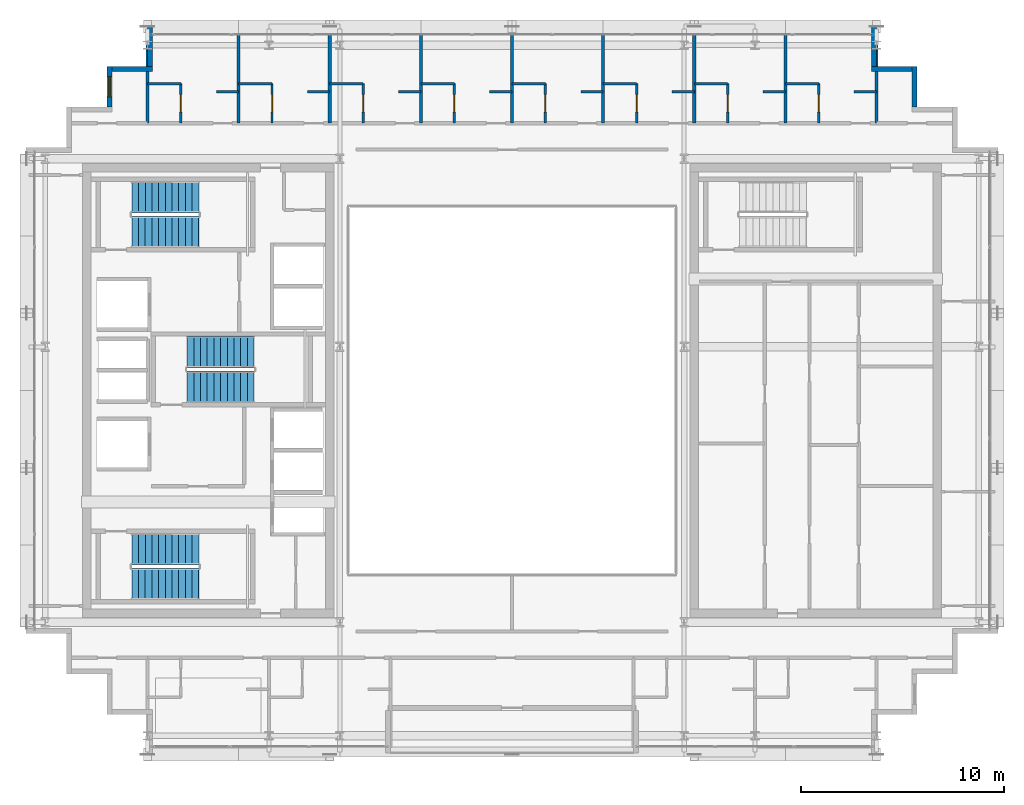
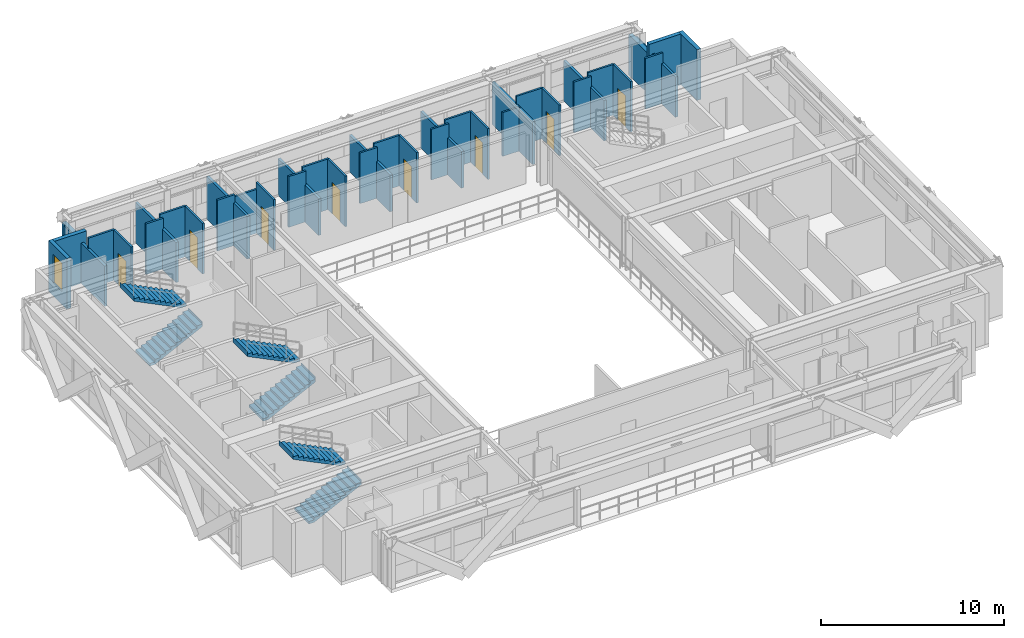
# One storey, part 23 of 28: 39 walls, 8 doors, 6 stair flights, 1 window, 9 openings, 3 elements without a shape of their own.
"""IFC4 building model written with IfcOpenShell, lengths in metres."""

from ifc_helpers import new_model, si_unit, direction, frame, frame_2d, origin, place, context, subcontext, project, spatial, polyline, rectangle, outline, extrude, source, transform, mapped, material, layer, layer_set, type_object, element, fill, aggregate, save


model = new_model("IFC4")

# Units and contexts
model_context = context("Model", 3, precision=1e-05, world=origin(), true_north=direction((0.0, 1.0)))
body_context = subcontext(model_context, "Body", "Model", "MODEL_VIEW")
ifc_project = project(units=[si_unit("LENGTHUNIT", "METRE"), si_unit("AREAUNIT", "SQUARE_METRE"), si_unit("VOLUMEUNIT", "CUBIC_METRE"), si_unit("PLANEANGLEUNIT", "RADIAN"), si_unit("MASSUNIT", "GRAM", prefix="KILO")], contexts=[model_context])

# Site, building, storey
site_placement = place(None, origin())
site = spatial("IfcSite", under=ifc_project, at=site_placement, CompositionType="ELEMENT")
building_placement = place(site_placement, origin())
building = spatial("IfcBuilding", under=site, at=building_placement, Name="Ocotamira Hotel", CompositionType="ELEMENT")
storey_placement = place(building_placement, frame((0.0, 0.0, 240.0)))
storey = spatial("IfcBuildingStorey", under=building, at=storey_placement, Name="L60", CompositionType="ELEMENT", Elevation=240.0)

# Walls
ifc_material_1 = material(Name="Precast concrete C45/55", Category="concrete")
ifc_layer_1 = layer(ifc_material_1, 0.25)
ifc_layer_set_1 = layer_set([ifc_layer_1], Name="Precast concrete C45/55")
wall_type_1 = type_object("IfcWallType", Name="WL-EXT-SER-250", PredefinedType="SOLIDWALL", material=ifc_layer_set_1)
for number, where, z_axis, x_axis, name in (
    (1, (51.875, 40.0, 0.0), (0.0, 0.0, 1.0), (0.0, 1.0, 0.0), "L60 Serrated Corner Wall 10"),
    (2, (51.75, 41.875, 0.0), (0.0, 0.0, 1.0), (-1.0, 0.0, 0.0), "L60 Serrated Corner Wall 11"),
):
    element("IfcWall", number, at=place(storey_placement, frame(where, z_axis=z_axis, x_axis=x_axis)), inside=storey, type_object=wall_type_1, Name=name, PredefinedType="SOLIDWALL", context=body_context, shape_type="SweptSolid", body=[
        extrude(rectangle(XDim=2.0, YDim=0.25, at=frame_2d((1.0, 0.0))), origin(), (0.0, 0.0, 1.0), 3.3798828125),
    ])
for number, where, z_axis, x_axis, name in (
    (3, (49.875, 42.0, 0.0), (0.0, 0.0, 1.0), (0.0, 1.0, 0.0), "L60 Serrated Corner Wall 12"),
    (4, (14.125, 44.0, 0.0), (0.0, 0.0, 1.0), (0.0, -1.0, 0.0), "L60 Serrated Corner Wall 13"),
):
    element("IfcWall", number, at=place(storey_placement, frame(where, z_axis=z_axis, x_axis=x_axis)), inside=storey, type_object=wall_type_1, Name=name, PredefinedType="SOLIDWALL", context=body_context, shape_type="SweptSolid", body=[
        extrude(rectangle(XDim=2.0, YDim=0.25, at=frame_2d((1.0, 0.0))), origin(), (0.0, 0.0, 1.0), 2.68701171875),
    ])
wall_1_placement = place(storey_placement, frame((14.25, 41.875, 0.0), z_axis=(0.0, 0.0, 1.0), x_axis=(-1.0, 0.0, 0.0)))
element("IfcWall", 5, at=wall_1_placement, inside=storey, type_object=wall_type_1, Name="L60 Serrated Corner Wall 14", PredefinedType="SOLIDWALL", context=body_context, shape_type="SweptSolid", body=[
    extrude(rectangle(XDim=2.0, YDim=0.25, at=frame_2d((1.0, 0.0))), origin(), (0.0, 0.0, 1.0), 3.3798828125),
])

# Wall, opening, window
wall_2_placement = place(storey_placement, frame((12.125, 42.0, 0.0), z_axis=(0.0, 0.0, 1.0), x_axis=(0.0, -1.0, 0.0)))
wall_2 = element("IfcWall", 6, at=wall_2_placement, inside=storey, type_object=wall_type_1, Name="L60 Serrated Corner Wall 15", PredefinedType="SOLIDWALL", context=body_context, shape_type="SweptSolid", body=[
    extrude(rectangle(XDim=2.0, YDim=0.25, at=frame_2d((1.0, 0.0))), origin(), (0.0, 0.0, 1.0), 3.3798828125),
])
opening_1_placement = place(wall_2_placement, frame((0.5, 0.0, 0.85009765625)))
opening_1 = element("IfcOpeningElement", 7, at=opening_1_placement, cuts=wall_2, Name="Opening WN-2", PredefinedType="OPENING", context=body_context, shape_type="SweptSolid", body=[
    extrude(rectangle(XDim=1.0, YDim=1.89990234375, at=frame_2d((0.5, 0.949951171875))), frame((0.0, 0.135009765625, 0.0), z_axis=(0.0, -1.0, 0.0), x_axis=(1.0, 0.0, 0.0)), (0.0, 0.0, 1.0), 0.27001953125),
])
ifc_material_2 = material(Name="Double-silver low-E solar glass", Category="glass")
window_type = type_object("IfcWindowType", Name="WIN-SER-1100", PartitioningType="SINGLE_PANEL", PredefinedType="WINDOW", material=ifc_material_2)
shared_shape_1 = source(origin(), body_context, "Body", "SweptSolid", [
    extrude(rectangle(XDim=1.0, YDim=1.89990234375, at=frame_2d((0.5, 0.949951171875))), frame((0.0, 0.030029296875, 0.0), z_axis=(0.0, -1.0, 0.0), x_axis=(1.0, 0.0, 0.0)), (0.0, 0.0, 1.0), 0.06005859375),
])
window_placement = place(opening_1_placement, origin())
window = element("IfcWindow", 8, at=window_placement, inside=storey, type_object=window_type, Name="L60 Serrated Corner Window 15", OverallHeight=1.89990234375, OverallWidth=1.0, PartitioningType="SINGLE_PANEL", PredefinedType="WINDOW", context=body_context, shape_type="MappedRepresentation", body=[
    mapped(shared_shape_1, transform((0.0, 0.0, 0.0), scale=1.0)),
])
fill(opening_1, window)

# Wall, opening, door
ifc_material_3 = material(Name="Moisture-resistant en-suite tile and gypsum partition", Category="gypsum")
ifc_layer_2 = layer(ifc_material_3, 0.1201171875)
ifc_layer_set_2 = layer_set([ifc_layer_2], Name="Moisture-resistant en-suite tile and gypsum partition")
wall_type_2 = type_object("IfcWallType", Name="WL-PART-120", PredefinedType="PARTITIONING", material=ifc_layer_set_2)
wall_3_placement = place(storey_placement, frame((15.64990234375, 39.199951171875, 0.0), z_axis=(0.0, 0.0, 1.0), x_axis=(0.0, 1.0, 0.0)))
wall_3 = element("IfcWall", 9, at=wall_3_placement, inside=storey, type_object=wall_type_2, Name="L60 Interior Wall PW-L60-Z4BN-BAE1", PredefinedType="PARTITIONING", context=body_context, shape_type="SweptSolid", body=[
    extrude(rectangle(XDim=1.949951171875, YDim=0.1201171875, at=frame_2d((0.97509765625, 0.0))), origin(), (0.0, 0.0, 1.0), 3.3798828125),
])
opening_2_placement = place(wall_3_placement, frame((0.544921875, 0.0, 0.0)))
opening_2 = element("IfcOpeningElement", 10, at=opening_2_placement, cuts=wall_3, Name="Opening D-BA1", PredefinedType="OPENING", context=body_context, shape_type="SweptSolid", body=[
    extrude(rectangle(XDim=0.860107421875, YDim=2.10009765625, at=frame_2d((0.43017578125, 1.050048828125))), frame((0.0, 0.070068359375, 0.0), z_axis=(0.0, -1.0, 0.0), x_axis=(1.0, 0.0, 0.0)), (0.0, 0.0, 1.0), 0.14013671875),
])
ifc_material_4 = material(Name="Moisture-sealed en-suite timber door", Category="wood")
door_type = type_object("IfcDoorType", Name="DR-BATH-860", OperationType="NOTDEFINED", PredefinedType="DOOR", material=ifc_material_4)
shared_shape_2 = source(origin(), body_context, "Body", "SweptSolid", [
    extrude(rectangle(XDim=0.860107421875, YDim=2.10009765625, at=frame_2d((0.43017578125, 1.050048828125))), frame((0.0, 0.02490234375, 0.0), z_axis=(0.0, -1.0, 0.0), x_axis=(1.0, 0.0, 0.0)), (0.0, 0.0, 1.0), 0.050048828125),
])
door_1_placement = place(opening_2_placement, origin())
door_1 = element("IfcDoor", 11, at=door_1_placement, inside=storey, type_object=door_type, Name="L60 Door ID-L60-Z4BN-BAD1 [ID-L60-Z4BN-BAD1]", OperationType="SINGLE_SWING_RIGHT", OverallHeight=2.10009765625, OverallWidth=0.860107421875, PredefinedType="DOOR", context=body_context, shape_type="MappedRepresentation", body=[
    mapped(shared_shape_2, transform((0.0, 0.0, 0.0), scale=1.0)),
])
fill(opening_2, door_1)

# Walls
wall_4_placement = place(storey_placement, frame((14.0, 41.14990234375, 0.0), z_axis=(0.0, 0.0, 1.0), x_axis=(1.0, 0.0, 0.0)))
element("IfcWall", 12, at=wall_4_placement, inside=storey, type_object=wall_type_2, Name="L60 Interior Wall PW-L60-Z4BN-BAN1", PredefinedType="PARTITIONING", context=body_context, shape_type="SweptSolid", body=[
    extrude(rectangle(XDim=1.64990234375, YDim=0.1201171875, at=frame_2d((0.824951171875, 0.0))), origin(), (0.0, 0.0, 1.0), 3.3798828125),
])
wall_5_placement = place(storey_placement, frame((17.39990234375, 40.75, 0.0), z_axis=(0.0, 0.0, 1.0), x_axis=(1.0, 0.0, 0.0)))
element("IfcWall", 13, at=wall_5_placement, inside=storey, type_object=wall_type_2, Name="L60 Interior Wall PW-L60-Z4BN-DRN1", PredefinedType="PARTITIONING", context=body_context, shape_type="SweptSolid", body=[
    extrude(rectangle(XDim=1.10009765625, YDim=0.1201171875, at=frame_2d((0.550048828125, 0.0))), origin(), (0.0, 0.0, 1.0), 3.3798828125),
])

# Wall, opening, door
wall_6_placement = place(storey_placement, frame((20.14990234375, 39.199951171875, 0.0), z_axis=(0.0, 0.0, 1.0), x_axis=(0.0, 1.0, 0.0)))
wall_6 = element("IfcWall", 14, at=wall_6_placement, inside=storey, type_object=wall_type_2, Name="L60 Interior Wall PW-L60-Z4BN-BAE2", PredefinedType="PARTITIONING", context=body_context, shape_type="SweptSolid", body=[
    extrude(rectangle(XDim=1.949951171875, YDim=0.1201171875, at=frame_2d((0.97509765625, 0.0))), origin(), (0.0, 0.0, 1.0), 3.3798828125),
])
opening_3_placement = place(wall_6_placement, frame((0.544921875, 0.0, 0.0)))
opening_3 = element("IfcOpeningElement", 15, at=opening_3_placement, cuts=wall_6, Name="Opening D-BA1", PredefinedType="OPENING", context=body_context, shape_type="SweptSolid", body=[
    extrude(rectangle(XDim=0.860107421875, YDim=2.10009765625, at=frame_2d((0.43017578125, 1.050048828125))), frame((0.0, 0.070068359375, 0.0), z_axis=(0.0, -1.0, 0.0), x_axis=(1.0, 0.0, 0.0)), (0.0, 0.0, 1.0), 0.14013671875),
])
door_2_placement = place(opening_3_placement, origin())
door_2 = element("IfcDoor", 16, at=door_2_placement, inside=storey, type_object=door_type, Name="L60 Door ID-L60-Z4BN-BAD2 [ID-L60-Z4BN-BAD2]", OperationType="SINGLE_SWING_LEFT", OverallHeight=2.10009765625, OverallWidth=0.860107421875, PredefinedType="DOOR", context=body_context, shape_type="MappedRepresentation", body=[
    mapped(shared_shape_2, transform((0.0, 0.0, 0.0), scale=1.0)),
])
fill(opening_3, door_2)

# Walls
wall_7_placement = place(storey_placement, frame((18.5, 41.14990234375, 0.0), z_axis=(0.0, 0.0, 1.0), x_axis=(1.0, 0.0, 0.0)))
element("IfcWall", 17, at=wall_7_placement, inside=storey, type_object=wall_type_2, Name="L60 Interior Wall PW-L60-Z4BN-BAN2", PredefinedType="PARTITIONING", context=body_context, shape_type="SweptSolid", body=[
    extrude(rectangle(XDim=1.64990234375, YDim=0.1201171875, at=frame_2d((0.824951171875, 0.0))), origin(), (0.0, 0.0, 1.0), 3.3798828125),
])
wall_8_placement = place(storey_placement, frame((21.89990234375, 40.75, 0.0), z_axis=(0.0, 0.0, 1.0), x_axis=(1.0, 0.0, 0.0)))
element("IfcWall", 18, at=wall_8_placement, inside=storey, type_object=wall_type_2, Name="L60 Interior Wall PW-L60-Z4BN-DRN2", PredefinedType="PARTITIONING", context=body_context, shape_type="SweptSolid", body=[
    extrude(rectangle(XDim=1.10009765625, YDim=0.1201171875, at=frame_2d((0.550048828125, 0.0))), origin(), (0.0, 0.0, 1.0), 3.3798828125),
])

# Wall, opening, door
wall_9_placement = place(storey_placement, frame((24.64990234375, 39.199951171875, 0.0), z_axis=(0.0, 0.0, 1.0), x_axis=(0.0, 1.0, 0.0)))
wall_9 = element("IfcWall", 19, at=wall_9_placement, inside=storey, type_object=wall_type_2, Name="L60 Interior Wall PW-L60-Z4BN-BAE3", PredefinedType="PARTITIONING", context=body_context, shape_type="SweptSolid", body=[
    extrude(rectangle(XDim=1.949951171875, YDim=0.1201171875, at=frame_2d((0.97509765625, 0.0))), origin(), (0.0, 0.0, 1.0), 3.3798828125),
])
opening_4_placement = place(wall_9_placement, frame((0.544921875, 0.0, 0.0)))
opening_4 = element("IfcOpeningElement", 20, at=opening_4_placement, cuts=wall_9, Name="Opening D-BA1", PredefinedType="OPENING", context=body_context, shape_type="SweptSolid", body=[
    extrude(rectangle(XDim=0.860107421875, YDim=2.10009765625, at=frame_2d((0.43017578125, 1.050048828125))), frame((0.0, 0.070068359375, 0.0), z_axis=(0.0, -1.0, 0.0), x_axis=(1.0, 0.0, 0.0)), (0.0, 0.0, 1.0), 0.14013671875),
])
door_3_placement = place(opening_4_placement, origin())
door_3 = element("IfcDoor", 21, at=door_3_placement, inside=storey, type_object=door_type, Name="L60 Door ID-L60-Z4BN-BAD3 [ID-L60-Z4BN-BAD3]", OperationType="SINGLE_SWING_RIGHT", OverallHeight=2.10009765625, OverallWidth=0.860107421875, PredefinedType="DOOR", context=body_context, shape_type="MappedRepresentation", body=[
    mapped(shared_shape_2, transform((0.0, 0.0, 0.0), scale=1.0)),
])
fill(opening_4, door_3)

# Walls
wall_10_placement = place(storey_placement, frame((23.0, 41.14990234375, 0.0), z_axis=(0.0, 0.0, 1.0), x_axis=(1.0, 0.0, 0.0)))
element("IfcWall", 22, at=wall_10_placement, inside=storey, type_object=wall_type_2, Name="L60 Interior Wall PW-L60-Z4BN-BAN3", PredefinedType="PARTITIONING", context=body_context, shape_type="SweptSolid", body=[
    extrude(rectangle(XDim=1.64990234375, YDim=0.1201171875, at=frame_2d((0.824951171875, 0.0))), origin(), (0.0, 0.0, 1.0), 2.923095703125),
])
wall_11_placement = place(storey_placement, frame((26.39990234375, 40.75, 0.0), z_axis=(0.0, 0.0, 1.0), x_axis=(1.0, 0.0, 0.0)))
element("IfcWall", 23, at=wall_11_placement, inside=storey, type_object=wall_type_2, Name="L60 Interior Wall PW-L60-Z4BN-DRN3", PredefinedType="PARTITIONING", context=body_context, shape_type="SweptSolid", body=[
    extrude(rectangle(XDim=1.10009765625, YDim=0.1201171875, at=frame_2d((0.550048828125, 0.0))), origin(), (0.0, 0.0, 1.0), 3.3798828125),
])

# Wall, opening, door
wall_12_placement = place(storey_placement, frame((29.14990234375, 39.199951171875, 0.0), z_axis=(0.0, 0.0, 1.0), x_axis=(0.0, 1.0, 0.0)))
wall_12 = element("IfcWall", 24, at=wall_12_placement, inside=storey, type_object=wall_type_2, Name="L60 Interior Wall PW-L60-Z4BN-BAE4", PredefinedType="PARTITIONING", context=body_context, shape_type="SweptSolid", body=[
    extrude(rectangle(XDim=1.949951171875, YDim=0.1201171875, at=frame_2d((0.97509765625, 0.0))), origin(), (0.0, 0.0, 1.0), 3.3798828125),
])
opening_5_placement = place(wall_12_placement, frame((0.544921875, 0.0, 0.0)))
opening_5 = element("IfcOpeningElement", 25, at=opening_5_placement, cuts=wall_12, Name="Opening D-BA1", PredefinedType="OPENING", context=body_context, shape_type="SweptSolid", body=[
    extrude(rectangle(XDim=0.860107421875, YDim=2.10009765625, at=frame_2d((0.43017578125, 1.050048828125))), frame((0.0, 0.070068359375, 0.0), z_axis=(0.0, -1.0, 0.0), x_axis=(1.0, 0.0, 0.0)), (0.0, 0.0, 1.0), 0.14013671875),
])
door_4_placement = place(opening_5_placement, origin())
door_4 = element("IfcDoor", 26, at=door_4_placement, inside=storey, type_object=door_type, Name="L60 Door ID-L60-Z4BN-BAD4 [ID-L60-Z4BN-BAD4]", OperationType="SINGLE_SWING_LEFT", OverallHeight=2.10009765625, OverallWidth=0.860107421875, PredefinedType="DOOR", context=body_context, shape_type="MappedRepresentation", body=[
    mapped(shared_shape_2, transform((0.0, 0.0, 0.0), scale=1.0)),
])
fill(opening_5, door_4)

# Walls
wall_13_placement = place(storey_placement, frame((27.5, 41.14990234375, 0.0), z_axis=(0.0, 0.0, 1.0), x_axis=(1.0, 0.0, 0.0)))
element("IfcWall", 27, at=wall_13_placement, inside=storey, type_object=wall_type_2, Name="L60 Interior Wall PW-L60-Z4BN-BAN4", PredefinedType="PARTITIONING", context=body_context, shape_type="SweptSolid", body=[
    extrude(rectangle(XDim=1.64990234375, YDim=0.1201171875, at=frame_2d((0.824951171875, 0.0))), origin(), (0.0, 0.0, 1.0), 3.3798828125),
])
wall_14_placement = place(storey_placement, frame((30.89990234375, 40.75, 0.0), z_axis=(0.0, 0.0, 1.0), x_axis=(1.0, 0.0, 0.0)))
element("IfcWall", 28, at=wall_14_placement, inside=storey, type_object=wall_type_2, Name="L60 Interior Wall PW-L60-Z4BN-DRN4", PredefinedType="PARTITIONING", context=body_context, shape_type="SweptSolid", body=[
    extrude(rectangle(XDim=1.10009765625, YDim=0.1201171875, at=frame_2d((0.550048828125, 0.0))), origin(), (0.0, 0.0, 1.0), 3.3798828125),
])

# Wall, opening, door
wall_15_placement = place(storey_placement, frame((33.64990234375, 39.199951171875, 0.0), z_axis=(0.0, 0.0, 1.0), x_axis=(0.0, 1.0, 0.0)))
wall_15 = element("IfcWall", 29, at=wall_15_placement, inside=storey, type_object=wall_type_2, Name="L60 Interior Wall PW-L60-Z4BN-BAE5", PredefinedType="PARTITIONING", context=body_context, shape_type="SweptSolid", body=[
    extrude(rectangle(XDim=1.949951171875, YDim=0.1201171875, at=frame_2d((0.97509765625, 0.0))), origin(), (0.0, 0.0, 1.0), 3.3798828125),
])
opening_6_placement = place(wall_15_placement, frame((0.544921875, 0.0, 0.0)))
opening_6 = element("IfcOpeningElement", 30, at=opening_6_placement, cuts=wall_15, Name="Opening D-BA1", PredefinedType="OPENING", context=body_context, shape_type="SweptSolid", body=[
    extrude(rectangle(XDim=0.860107421875, YDim=2.10009765625, at=frame_2d((0.43017578125, 1.050048828125))), frame((0.0, 0.070068359375, 0.0), z_axis=(0.0, -1.0, 0.0), x_axis=(1.0, 0.0, 0.0)), (0.0, 0.0, 1.0), 0.14013671875),
])
door_5_placement = place(opening_6_placement, origin())
door_5 = element("IfcDoor", 31, at=door_5_placement, inside=storey, type_object=door_type, Name="L60 Door ID-L60-Z4BN-BAD5 [ID-L60-Z4BN-BAD5]", OperationType="SINGLE_SWING_RIGHT", OverallHeight=2.10009765625, OverallWidth=0.860107421875, PredefinedType="DOOR", context=body_context, shape_type="MappedRepresentation", body=[
    mapped(shared_shape_2, transform((0.0, 0.0, 0.0), scale=1.0)),
])
fill(opening_6, door_5)

# Walls
wall_16_placement = place(storey_placement, frame((32.0, 41.14990234375, 0.0), z_axis=(0.0, 0.0, 1.0), x_axis=(1.0, 0.0, 0.0)))
element("IfcWall", 32, at=wall_16_placement, inside=storey, type_object=wall_type_2, Name="L60 Interior Wall PW-L60-Z4BN-BAN5", PredefinedType="PARTITIONING", context=body_context, shape_type="SweptSolid", body=[
    extrude(rectangle(XDim=1.64990234375, YDim=0.1201171875, at=frame_2d((0.824951171875, 0.0))), origin(), (0.0, 0.0, 1.0), 3.3798828125),
])
wall_17_placement = place(storey_placement, frame((35.39990234375, 40.75, 0.0), z_axis=(0.0, 0.0, 1.0), x_axis=(1.0, 0.0, 0.0)))
element("IfcWall", 33, at=wall_17_placement, inside=storey, type_object=wall_type_2, Name="L60 Interior Wall PW-L60-Z4BN-DRN5", PredefinedType="PARTITIONING", context=body_context, shape_type="SweptSolid", body=[
    extrude(rectangle(XDim=1.10009765625, YDim=0.1201171875, at=frame_2d((0.550048828125, 0.0))), origin(), (0.0, 0.0, 1.0), 3.3798828125),
])

# Wall, opening, door
wall_18_placement = place(storey_placement, frame((38.14990234375, 39.199951171875, 0.0), z_axis=(0.0, 0.0, 1.0), x_axis=(0.0, 1.0, 0.0)))
wall_18 = element("IfcWall", 34, at=wall_18_placement, inside=storey, type_object=wall_type_2, Name="L60 Interior Wall PW-L60-Z4BN-BAE6", PredefinedType="PARTITIONING", context=body_context, shape_type="SweptSolid", body=[
    extrude(rectangle(XDim=1.949951171875, YDim=0.1201171875, at=frame_2d((0.97509765625, 0.0))), origin(), (0.0, 0.0, 1.0), 3.3798828125),
])
opening_7_placement = place(wall_18_placement, frame((0.544921875, 0.0, 0.0)))
opening_7 = element("IfcOpeningElement", 35, at=opening_7_placement, cuts=wall_18, Name="Opening D-BA1", PredefinedType="OPENING", context=body_context, shape_type="SweptSolid", body=[
    extrude(rectangle(XDim=0.860107421875, YDim=2.10009765625, at=frame_2d((0.43017578125, 1.050048828125))), frame((0.0, 0.070068359375, 0.0), z_axis=(0.0, -1.0, 0.0), x_axis=(1.0, 0.0, 0.0)), (0.0, 0.0, 1.0), 0.14013671875),
])
door_6_placement = place(opening_7_placement, origin())
door_6 = element("IfcDoor", 36, at=door_6_placement, inside=storey, type_object=door_type, Name="L60 Door ID-L60-Z4BN-BAD6 [ID-L60-Z4BN-BAD6]", OperationType="SINGLE_SWING_LEFT", OverallHeight=2.10009765625, OverallWidth=0.860107421875, PredefinedType="DOOR", context=body_context, shape_type="MappedRepresentation", body=[
    mapped(shared_shape_2, transform((0.0, 0.0, 0.0), scale=1.0)),
])
fill(opening_7, door_6)

# Walls
wall_19_placement = place(storey_placement, frame((36.5, 41.14990234375, 0.0), z_axis=(0.0, 0.0, 1.0), x_axis=(1.0, 0.0, 0.0)))
element("IfcWall", 37, at=wall_19_placement, inside=storey, type_object=wall_type_2, Name="L60 Interior Wall PW-L60-Z4BN-BAN6", PredefinedType="PARTITIONING", context=body_context, shape_type="SweptSolid", body=[
    extrude(rectangle(XDim=1.64990234375, YDim=0.1201171875, at=frame_2d((0.824951171875, 0.0))), origin(), (0.0, 0.0, 1.0), 3.3798828125),
])
wall_20_placement = place(storey_placement, frame((39.89990234375, 40.75, 0.0), z_axis=(0.0, 0.0, 1.0), x_axis=(1.0, 0.0, 0.0)))
element("IfcWall", 38, at=wall_20_placement, inside=storey, type_object=wall_type_2, Name="L60 Interior Wall PW-L60-Z4BN-DRN6", PredefinedType="PARTITIONING", context=body_context, shape_type="SweptSolid", body=[
    extrude(rectangle(XDim=1.10009765625, YDim=0.1201171875, at=frame_2d((0.550048828125, 0.0))), origin(), (0.0, 0.0, 1.0), 2.923095703125),
])

# Wall, opening, door
wall_21_placement = place(storey_placement, frame((42.64990234375, 39.199951171875, 0.0), z_axis=(0.0, 0.0, 1.0), x_axis=(0.0, 1.0, 0.0)))
wall_21 = element("IfcWall", 39, at=wall_21_placement, inside=storey, type_object=wall_type_2, Name="L60 Interior Wall PW-L60-Z4BN-BAE7", PredefinedType="PARTITIONING", context=body_context, shape_type="SweptSolid", body=[
    extrude(rectangle(XDim=1.949951171875, YDim=0.1201171875, at=frame_2d((0.97509765625, 0.0))), origin(), (0.0, 0.0, 1.0), 3.3798828125),
])
opening_8_placement = place(wall_21_placement, frame((0.544921875, 0.0, 0.0)))
opening_8 = element("IfcOpeningElement", 40, at=opening_8_placement, cuts=wall_21, Name="Opening D-BA1", PredefinedType="OPENING", context=body_context, shape_type="SweptSolid", body=[
    extrude(rectangle(XDim=0.860107421875, YDim=2.10009765625, at=frame_2d((0.43017578125, 1.050048828125))), frame((0.0, 0.070068359375, 0.0), z_axis=(0.0, -1.0, 0.0), x_axis=(1.0, 0.0, 0.0)), (0.0, 0.0, 1.0), 0.14013671875),
])
door_7_placement = place(opening_8_placement, origin())
door_7 = element("IfcDoor", 41, at=door_7_placement, inside=storey, type_object=door_type, Name="L60 Door ID-L60-Z4BN-BAD7 [ID-L60-Z4BN-BAD7]", OperationType="SINGLE_SWING_RIGHT", OverallHeight=2.10009765625, OverallWidth=0.860107421875, PredefinedType="DOOR", context=body_context, shape_type="MappedRepresentation", body=[
    mapped(shared_shape_2, transform((0.0, 0.0, 0.0), scale=1.0)),
])
fill(opening_8, door_7)

# Walls
wall_22_placement = place(storey_placement, frame((41.0, 41.14990234375, 0.0), z_axis=(0.0, 0.0, 1.0), x_axis=(1.0, 0.0, 0.0)))
element("IfcWall", 42, at=wall_22_placement, inside=storey, type_object=wall_type_2, Name="L60 Interior Wall PW-L60-Z4BN-BAN7", PredefinedType="PARTITIONING", context=body_context, shape_type="SweptSolid", body=[
    extrude(rectangle(XDim=1.64990234375, YDim=0.1201171875, at=frame_2d((0.824951171875, 0.0))), origin(), (0.0, 0.0, 1.0), 3.3798828125),
])
wall_23_placement = place(storey_placement, frame((44.39990234375, 40.75, 0.0), z_axis=(0.0, 0.0, 1.0), x_axis=(1.0, 0.0, 0.0)))
element("IfcWall", 43, at=wall_23_placement, inside=storey, type_object=wall_type_2, Name="L60 Interior Wall PW-L60-Z4BN-DRN7", PredefinedType="PARTITIONING", context=body_context, shape_type="SweptSolid", body=[
    extrude(rectangle(XDim=1.10009765625, YDim=0.1201171875, at=frame_2d((0.550048828125, 0.0))), origin(), (0.0, 0.0, 1.0), 3.3798828125),
])

# Wall, opening, door
wall_24_placement = place(storey_placement, frame((47.14990234375, 39.199951171875, 0.0), z_axis=(0.0, 0.0, 1.0), x_axis=(0.0, 1.0, 0.0)))
wall_24 = element("IfcWall", 44, at=wall_24_placement, inside=storey, type_object=wall_type_2, Name="L60 Interior Wall PW-L60-Z4BN-BAE8", PredefinedType="PARTITIONING", context=body_context, shape_type="SweptSolid", body=[
    extrude(rectangle(XDim=1.949951171875, YDim=0.1201171875, at=frame_2d((0.97509765625, 0.0))), origin(), (0.0, 0.0, 1.0), 3.3798828125),
])
opening_9_placement = place(wall_24_placement, frame((0.544921875, 0.0, 0.0)))
opening_9 = element("IfcOpeningElement", 45, at=opening_9_placement, cuts=wall_24, Name="Opening D-BA1", PredefinedType="OPENING", context=body_context, shape_type="SweptSolid", body=[
    extrude(rectangle(XDim=0.860107421875, YDim=2.10009765625, at=frame_2d((0.43017578125, 1.050048828125))), frame((0.0, 0.070068359375, 0.0), z_axis=(0.0, -1.0, 0.0), x_axis=(1.0, 0.0, 0.0)), (0.0, 0.0, 1.0), 0.14013671875),
])
door_8_placement = place(opening_9_placement, origin())
door_8 = element("IfcDoor", 46, at=door_8_placement, inside=storey, type_object=door_type, Name="L60 Door ID-L60-Z4BN-BAD8 [ID-L60-Z4BN-BAD8]", OperationType="SINGLE_SWING_LEFT", OverallHeight=2.10009765625, OverallWidth=0.860107421875, PredefinedType="DOOR", context=body_context, shape_type="MappedRepresentation", body=[
    mapped(shared_shape_2, transform((0.0, 0.0, 0.0), scale=1.0)),
])
fill(opening_9, door_8)

# Walls
wall_25_placement = place(storey_placement, frame((45.5, 41.14990234375, 0.0), z_axis=(0.0, 0.0, 1.0), x_axis=(1.0, 0.0, 0.0)))
element("IfcWall", 47, at=wall_25_placement, inside=storey, type_object=wall_type_2, Name="L60 Interior Wall PW-L60-Z4BN-BAN8", PredefinedType="PARTITIONING", context=body_context, shape_type="SweptSolid", body=[
    extrude(rectangle(XDim=1.64990234375, YDim=0.1201171875, at=frame_2d((0.824951171875, 0.0))), origin(), (0.0, 0.0, 1.0), 3.3798828125),
])
wall_26_placement = place(storey_placement, frame((48.89990234375, 40.75, 0.0), z_axis=(0.0, 0.0, 1.0), x_axis=(1.0, 0.0, 0.0)))
element("IfcWall", 48, at=wall_26_placement, inside=storey, type_object=wall_type_2, Name="L60 Interior Wall PW-L60-Z4BN-DRN8", PredefinedType="PARTITIONING", context=body_context, shape_type="SweptSolid", body=[
    extrude(rectangle(XDim=1.10009765625, YDim=0.1201171875, at=frame_2d((0.550048828125, 0.0))), origin(), (0.0, 0.0, 1.0), 3.3798828125),
])
ifc_material_5 = material(Name="Acoustic double-stud hospitality gypsum partition", Category="gypsum")
ifc_layer_3 = layer(ifc_material_5, 0.159912109375)
ifc_layer_set_3 = layer_set([ifc_layer_3], Name="Acoustic double-stud hospitality gypsum partition")
wall_type_3 = type_object("IfcWallType", Name="WL-PART-160", PredefinedType="PARTITIONING", material=ifc_layer_set_3)
for number, where, z_axis, x_axis, name in (
    (49, (14.0, 39.199951171875, 0.0), (0.0, 0.0, 1.0), (0.0, 1.0, 0.0), "L60 Interior Wall PW-L60-Z4BN-PW0"),
    (50, (50.0, 39.199951171875, 0.0), (0.0, 0.0, 1.0), (0.0, 1.0, 0.0), "L60 Interior Wall PW-L60-Z4BN-PWEND"),
    (51, (18.5, 39.199951171875, 0.0), (0.0, 0.0, 1.0), (0.0, 1.0, 0.0), "L60 Interior Wall PW-L60-Z4BN-PW1"),
):
    element("IfcWall", number, at=place(storey_placement, frame(where, z_axis=z_axis, x_axis=x_axis)), inside=storey, type_object=wall_type_3, Name=name, PredefinedType="PARTITIONING", context=body_context, shape_type="SweptSolid", body=[
        extrude(rectangle(XDim=4.43994140625, YDim=0.159912109375, at=frame_2d((2.219970703125, 0.0))), origin(), (0.0, 0.0, 1.0), 2.68701171875),
    ])
wall_27_placement = place(storey_placement, frame((23.0, 39.199951171875, 0.0), z_axis=(0.0, 0.0, 1.0), x_axis=(0.0, 1.0, 0.0)))
element("IfcWall", 52, at=wall_27_placement, inside=storey, type_object=wall_type_3, Name="L60 Interior Wall PW-L60-Z4BN-PW2", PredefinedType="PARTITIONING", context=body_context, shape_type="SweptSolid", body=[
    extrude(rectangle(XDim=4.43994140625, YDim=0.159912109375, at=frame_2d((2.219970703125, 0.0))), origin(), (0.0, 0.0, 1.0), 2.843017578125),
])
for number, where, z_axis, x_axis, name in (
    (53, (27.5, 39.199951171875, 0.0), (0.0, 0.0, 1.0), (0.0, 1.0, 0.0), "L60 Interior Wall PW-L60-Z4BN-PW3"),
    (54, (32.0, 39.199951171875, 0.0), (0.0, 0.0, 1.0), (0.0, 1.0, 0.0), "L60 Interior Wall PW-L60-Z4BN-PW4"),
    (55, (36.5, 39.199951171875, 0.0), (0.0, 0.0, 1.0), (0.0, 1.0, 0.0), "L60 Interior Wall PW-L60-Z4BN-PW5"),
):
    element("IfcWall", number, at=place(storey_placement, frame(where, z_axis=z_axis, x_axis=x_axis)), inside=storey, type_object=wall_type_3, Name=name, PredefinedType="PARTITIONING", context=body_context, shape_type="SweptSolid", body=[
        extrude(rectangle(XDim=4.43994140625, YDim=0.159912109375, at=frame_2d((2.219970703125, 0.0))), origin(), (0.0, 0.0, 1.0), 2.452880859375),
    ])
wall_28_placement = place(storey_placement, frame((41.0, 39.199951171875, 0.0), z_axis=(0.0, 0.0, 1.0), x_axis=(0.0, 1.0, 0.0)))
element("IfcWall", 56, at=wall_28_placement, inside=storey, type_object=wall_type_3, Name="L60 Interior Wall PW-L60-Z4BN-PW6", PredefinedType="PARTITIONING", context=body_context, shape_type="SweptSolid", body=[
    extrude(rectangle(XDim=4.43994140625, YDim=0.159912109375, at=frame_2d((2.219970703125, 0.0))), origin(), (0.0, 0.0, 1.0), 2.843017578125),
])
wall_29_placement = place(storey_placement, frame((45.5, 39.199951171875, 0.0), z_axis=(0.0, 0.0, 1.0), x_axis=(0.0, 1.0, 0.0)))
element("IfcWall", 57, at=wall_29_placement, inside=storey, type_object=wall_type_3, Name="L60 Interior Wall PW-L60-Z4BN-PW7", PredefinedType="PARTITIONING", context=body_context, shape_type="SweptSolid", body=[
    extrude(rectangle(XDim=4.43994140625, YDim=0.159912109375, at=frame_2d((2.219970703125, 0.0))), origin(), (0.0, 0.0, 1.0), 2.68701171875),
])

# Stair, stair flights
ifc_material_6 = material(Name="Concrete C40/50", Category="concrete")
stair_type = type_object("IfcStairType", Name="ST-CORE-1560", PredefinedType="HALF_TURN_STAIR", material=ifc_material_6)
stair_1_placement = place(storey_placement, origin())
stair_1 = element("IfcStair", 58, at=stair_1_placement, inside=storey, type_object=stair_type, Name="L60 Exit Stair ST-1", PredefinedType="HALF_TURN_STAIR")
stair_flight_type = type_object("IfcStairFlightType", Name="STF-CORE-1560", PredefinedType="STRAIGHT", material=ifc_material_6)
shared_shape_3 = source(origin(), body_context, "Body", "SweptSolid", [
    extrude(outline(polyline([(-0.00390625, 0.0), (-0.00390625, 0.16357421875), (0.330078125, 0.16357421875), (0.330078125, 0.327392578125), (0.659912109375, 0.327392578125), (0.659912109375, 0.490966796875), (0.989990234375, 0.490966796875), (0.989990234375, 0.654541015625), (1.320068359375, 0.654541015625), (1.320068359375, 0.818115234375), (1.64990234375, 0.818115234375), (1.64990234375, 0.98193359375), (1.97998046875, 0.98193359375), (1.97998046875, 1.1455078125), (2.31005859375, 1.1455078125), (2.31005859375, 1.30908203125), (2.639892578125, 1.30908203125), (2.639892578125, 1.47265625), (2.969970703125, 1.47265625), (2.969970703125, 1.636474609375), (3.300048828125, 1.636474609375), (3.300048828125, 1.800048828125), (3.303955078125, 1.800048828125), (3.303955078125, 1.468994140625), (0.33740234375, 0.0), (-0.00390625, 0.0)])), frame((0.0, 0.780029296875, 0.0), z_axis=(0.0, -1.0, 0.0), x_axis=(1.0, 0.0, 0.0)), (0.0, 0.0, 1.0), 1.56005859375),
])
stair_flight_1_placement = place(storey_placement, frame((13.22998046875, 16.449951171875, 0.0), z_axis=(0.0, 0.0, 1.0), x_axis=(1.0, 0.0, 0.0)))
stair_flight_1 = element("IfcStairFlight", 59, at=stair_flight_1_placement, type_object=stair_flight_type, Name="ST-1 flight 1", NumberOfRisers=11, NumberOfTreads=10, PredefinedType="STRAIGHT", RiserHeight=0.163636364, TreadLength=0.33, context=body_context, shape_type="MappedRepresentation", body=[
    mapped(shared_shape_3, transform((0.0, 0.0, 0.0), scale=1.0)),
])
stair_flight_2_placement = place(storey_placement, frame((16.530029296875, 18.169921875, 1.800048828125), z_axis=(0.0, 0.0, 1.0), x_axis=(-1.0, 0.0, 0.0)))
stair_flight_2 = element("IfcStairFlight", 60, at=stair_flight_2_placement, type_object=stair_flight_type, Name="ST-1 flight 2", NumberOfRisers=11, NumberOfTreads=10, PredefinedType="STRAIGHT", RiserHeight=0.163636364, TreadLength=0.33, context=body_context, shape_type="MappedRepresentation", body=[
    mapped(shared_shape_3, transform((0.0, 0.0, 0.0), scale=1.0)),
])
aggregate(stair_1, [stair_flight_1, stair_flight_2])

stair_2_placement = place(storey_placement, origin())
stair_2 = element("IfcStair", 61, at=stair_2_placement, inside=storey, type_object=stair_type, Name="L60 Exit Stair ST-2", PredefinedType="HALF_TURN_STAIR")
stair_flight_3_placement = place(storey_placement, frame((13.22998046875, 33.830078125, 0.0), z_axis=(0.0, 0.0, 1.0), x_axis=(1.0, 0.0, 0.0)))
stair_flight_3 = element("IfcStairFlight", 62, at=stair_flight_3_placement, type_object=stair_flight_type, Name="ST-2 flight 1", NumberOfRisers=11, NumberOfTreads=10, PredefinedType="STRAIGHT", RiserHeight=0.163636364, TreadLength=0.33, context=body_context, shape_type="MappedRepresentation", body=[
    mapped(shared_shape_3, transform((0.0, 0.0, 0.0), scale=1.0)),
])
stair_flight_4_placement = place(storey_placement, frame((16.530029296875, 35.550048828125, 1.800048828125), z_axis=(0.0, 0.0, 1.0), x_axis=(-1.0, 0.0, 0.0)))
stair_flight_4 = element("IfcStairFlight", 63, at=stair_flight_4_placement, type_object=stair_flight_type, Name="ST-2 flight 2", NumberOfRisers=11, NumberOfTreads=10, PredefinedType="STRAIGHT", RiserHeight=0.163636364, TreadLength=0.33, context=body_context, shape_type="MappedRepresentation", body=[
    mapped(shared_shape_3, transform((0.0, 0.0, 0.0), scale=1.0)),
])
aggregate(stair_2, [stair_flight_3, stair_flight_4])

stair_3_placement = place(storey_placement, origin())
stair_3 = element("IfcStair", 64, at=stair_3_placement, inside=storey, type_object=stair_type, Name="L60 Exit Stair ST-3", PredefinedType="HALF_TURN_STAIR")
stair_flight_5_placement = place(storey_placement, frame((15.9599609375, 26.179931640625, 0.0), z_axis=(0.0, 0.0, 1.0), x_axis=(1.0, 0.0, 0.0)))
stair_flight_5 = element("IfcStairFlight", 65, at=stair_flight_5_placement, type_object=stair_flight_type, Name="ST-3 flight 1", NumberOfRisers=11, NumberOfTreads=10, PredefinedType="STRAIGHT", RiserHeight=0.163636364, TreadLength=0.33, context=body_context, shape_type="MappedRepresentation", body=[
    mapped(shared_shape_3, transform((0.0, 0.0, 0.0), scale=1.0)),
])
stair_flight_6_placement = place(storey_placement, frame((19.260009765625, 27.89990234375, 1.800048828125), z_axis=(0.0, 0.0, 1.0), x_axis=(-1.0, 0.0, 0.0)))
stair_flight_6 = element("IfcStairFlight", 66, at=stair_flight_6_placement, type_object=stair_flight_type, Name="ST-3 flight 2", NumberOfRisers=11, NumberOfTreads=10, PredefinedType="STRAIGHT", RiserHeight=0.163636364, TreadLength=0.33, context=body_context, shape_type="MappedRepresentation", body=[
    mapped(shared_shape_3, transform((0.0, 0.0, 0.0), scale=1.0)),
])
aggregate(stair_3, [stair_flight_5, stair_flight_6])

save(model, "model.ifc")
